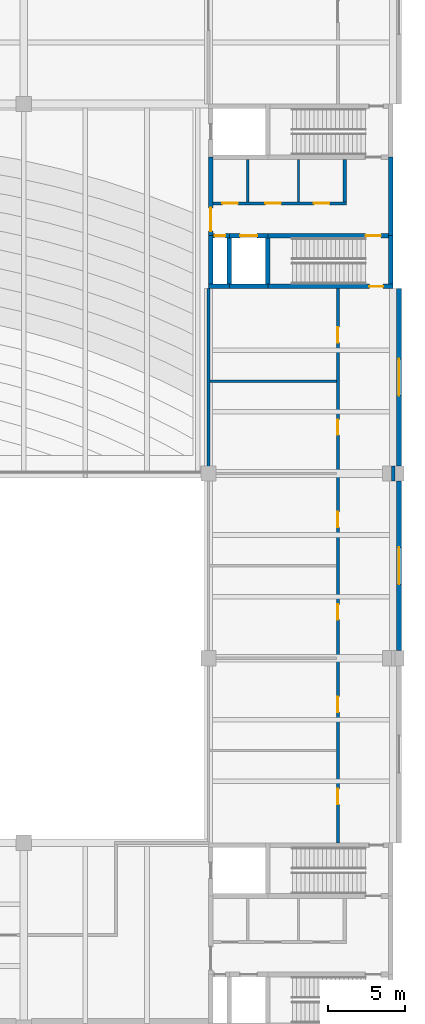
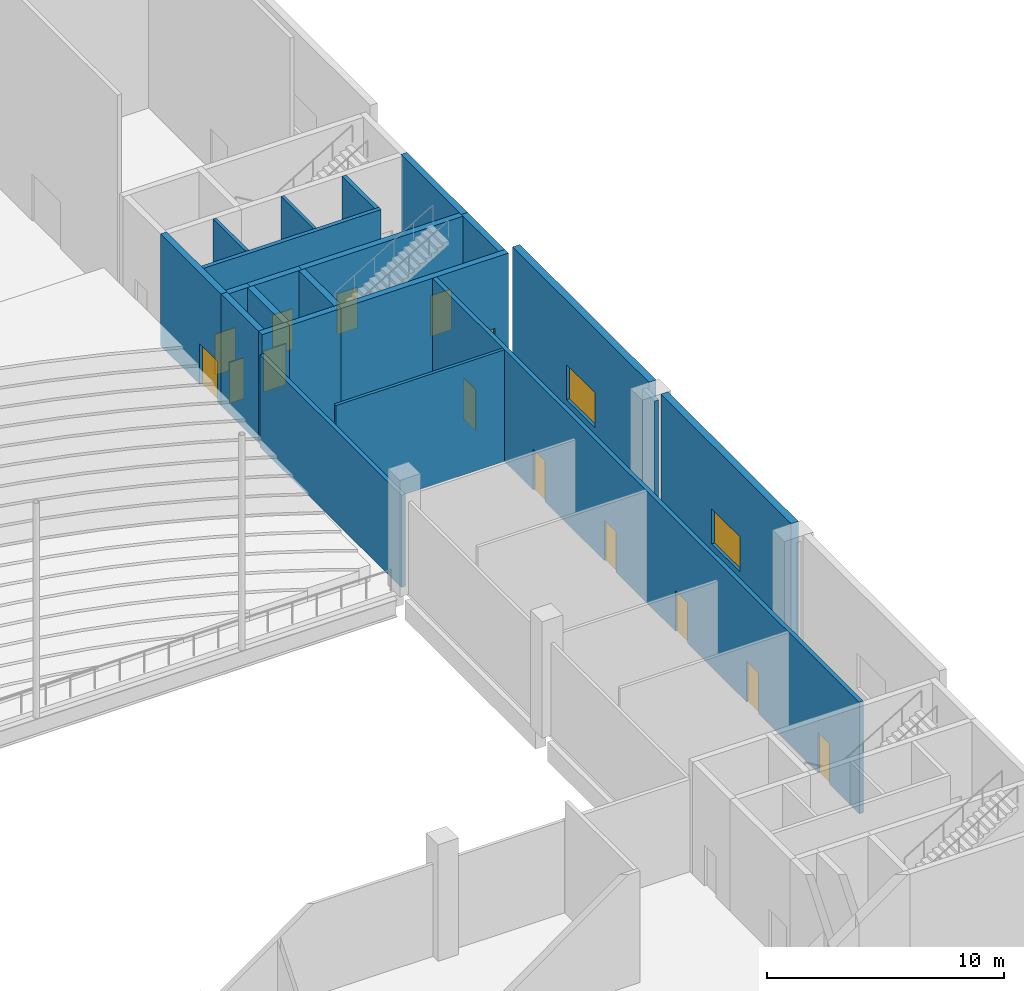
# One storey, part 58 of 72: 22 walls, 14 doors, 2 windows, 16 openings.
"""IFC4 building model written with IfcOpenShell, lengths in metres."""

import ifcopenshell
import ifcopenshell.guid

model = None  # the IFC model being written
_history = None  # IfcOwnerHistory: only IFC2X3 demands one
_inside = {}  # id of a spatial element -> (the spatial element, [elements in it])
_under = {}  # id of a project, library or spatial element -> (it, [spatial elements below it])
_declared = {}  # id of a project -> (the project, [libraries it declares])
_typed = {}  # id of a type object -> (the type object, [elements of that type])
_made_of = {}  # id of a material, layer set ... -> (it, [elements and type objects made of it])


def new_model(schema):
    """Start an empty IFC model of exactly this schema.

    Asked for "IFC4X3", IfcOpenShell would pick the latest addendum, in which some entities
    have other attributes; the version numbers below select the first issue.
    IFC2X3 requires an IfcOwnerHistory on every rooted entity: one is made here for all.
    """
    global model, _history
    if schema == "IFC4X3":
        model = ifcopenshell.file(schema_version=(4, 3, 0, 0))
    else:
        model = ifcopenshell.file(schema=schema)
    _inside.clear()
    _under.clear()
    _declared.clear()
    _typed.clear()
    _made_of.clear()
    _history = None
    if model.schema == "IFC2X3":
        org = make("IfcOrganization", Name="unknown")
        user = make(
            "IfcPersonAndOrganization",
            ThePerson=make("IfcPerson", FamilyName="unknown"),
            TheOrganization=org,
        )
        app = make(
            "IfcApplication",
            ApplicationDeveloper=org,
            Version="unknown",
            ApplicationFullName="unknown",
            ApplicationIdentifier="unknown",
        )
        _history = make(
            "IfcOwnerHistory",
            OwningUser=user,
            OwningApplication=app,
            ChangeAction="ADDED",
            CreationDate=0,
        )
    return model


def make(cls, **values):
    """One entity of the class cls with the attributes given. An attribute that is None is left unset."""
    return model.create_entity(
        cls, **{name: value for name, value in values.items() if value is not None}
    )


def rooted(cls, **values):
    """An entity with a GlobalId (a new one), such as an element, a storey or a relation."""
    return make(cls, GlobalId=ifcopenshell.guid.new(), OwnerHistory=_history, **values)


def si_unit(unit_type, name, prefix=None):
    """IfcSIUnit, for example si_unit("LENGTHUNIT", "METRE", prefix="MILLI")."""
    return make("IfcSIUnit", UnitType=unit_type, Prefix=prefix, Name=name)


def assignment(units):
    """IfcUnitAssignment: the units of a project."""
    return None if units is None else make("IfcUnitAssignment", Units=units)


def point(xyz):
    """IfcCartesianPoint."""
    return None if xyz is None else make("IfcCartesianPoint", Coordinates=xyz)


def direction(xyz):
    """IfcDirection."""
    return None if xyz is None else make("IfcDirection", DirectionRatios=xyz)


def frame(location, z_axis=None, x_axis=None):
    """IfcAxis2Placement3D, a coordinate frame: its origin and axes. An axis left out is left unset."""
    return make(
        "IfcAxis2Placement3D",
        Location=point(location),
        Axis=direction(z_axis),
        RefDirection=direction(x_axis),
    )


def frame_2d(location, x_axis=None):
    """IfcAxis2Placement2D, a coordinate frame in the plane: its origin and x axis."""
    return make(
        "IfcAxis2Placement2D", Location=point(location), RefDirection=direction(x_axis)
    )


def origin():
    """The frame at (0, 0, 0) with its axes left unset."""
    return frame((0.0, 0.0, 0.0))


def place(relative_to, where):
    """IfcLocalPlacement: puts the frame where relative to a parent placement (None: the world)."""
    return make(
        "IfcLocalPlacement", PlacementRelTo=relative_to, RelativePlacement=where
    )


def context(
    kind, dimensions, precision=None, world=None, true_north=None, identifier=None
):
    """IfcGeometricRepresentationContext, for example the 3D "Model" context."""
    return make(
        "IfcGeometricRepresentationContext",
        ContextIdentifier=identifier,
        ContextType=kind,
        CoordinateSpaceDimension=dimensions,
        Precision=precision,
        WorldCoordinateSystem=world,
        TrueNorth=true_north,
    )


def subcontext(parent, identifier, kind, view, scale=None):
    """IfcGeometricRepresentationSubContext, for example "Body" below "Model"."""
    return make(
        "IfcGeometricRepresentationSubContext",
        ContextIdentifier=identifier,
        ContextType=kind,
        ParentContext=parent,
        TargetScale=scale,
        TargetView=view,
    )


def project(units=None, contexts=None):
    """IfcProject with its units and contexts."""
    return rooted(
        "IfcProject",
        Name="project",
        RepresentationContexts=contexts,
        UnitsInContext=assignment(units),
    )


def spatial(cls, under=None, at=None, **own):
    """A site, building, storey or space (cls), placed at a placement, below another one or the project."""
    s = rooted(cls, ObjectPlacement=at, **own)
    if under is not None:
        _under.setdefault(under.id(), (under, []))[1].append(s)
    return s


def profile(cls, at=None, kind="AREA", **sizes):
    """A parametric profile (cls). Its sizes go by their IFC names, for example OverallWidth=200.0."""
    return make(cls, ProfileType=kind, Position=at, **sizes)


def rectangle(**sizes):
    """IfcRectangleProfileDef."""
    return profile("IfcRectangleProfileDef", **sizes)


def extrude(swept, where, along, depth):
    """IfcExtrudedAreaSolid: the profile swept, set in the frame where, extruded along a direction by depth."""
    return make(
        "IfcExtrudedAreaSolid",
        SweptArea=swept,
        Position=where,
        ExtrudedDirection=direction(along),
        Depth=depth,
    )


def shape(context_of_items, identifier, shape_type, items):
    """IfcShapeRepresentation: the items that make up one representation, for example the "Body"."""
    return make(
        "IfcShapeRepresentation",
        ContextOfItems=context_of_items,
        RepresentationIdentifier=identifier,
        RepresentationType=shape_type,
        Items=items,
    )


def material(Name=None, Category=None):
    """IfcMaterial."""
    return make("IfcMaterial", Name=Name, Category=Category)


def layer(
    of_material, thickness, ventilated=None, Name=None, Category=None, Priority=None
):
    """IfcMaterialLayer: one layer of a wall or slab, of a material (None: an air gap)."""
    return make(
        "IfcMaterialLayer",
        Material=of_material,
        LayerThickness=thickness,
        IsVentilated=ventilated,
        Name=Name,
        Category=Category,
        Priority=Priority,
    )


def layer_set(layers, Name=None):
    """IfcMaterialLayerSet."""
    return make("IfcMaterialLayerSet", MaterialLayers=layers, LayerSetName=Name)


def made_of(thing, what):
    """Note that an element or type object is made of a material, layer set ...; save() writes the relation."""
    if what is not None:
        _made_of.setdefault(what.id(), (what, []))[1].append(thing)
    return thing


def type_object(cls, material=None, **own):
    """A type object (cls), such as IfcWallType, which elements share."""
    return made_of(rooted(cls, **own), material)


def element(
    cls,
    number,
    at=None,
    inside=None,
    cuts=None,
    type_object=None,
    material=None,
    context=None,
    identifier="Body",
    shape_type=None,
    held_by="IfcProductDefinitionShape",
    body=None,
    shapes=None,
    **own,
):
    """One element of the class cls, such as IfcWall. Its Tag is "e" and its number.

    at: its placement. inside: the storey or other place that contains it. cuts: it is an
    opening in that element (IfcRelVoidsElement). A single representation is given by context,
    identifier, shape_type and body (its items); several are given by shapes. held_by: the class
    of the entity that holds the representations. save() writes the other relations.
    """
    e = rooted(cls, Tag="e%d" % number, ObjectPlacement=at, **own)
    if body is not None:
        shapes = [shape(context, identifier, shape_type, body)]
    if shapes is not None:
        e.Representation = make(held_by, Representations=shapes)
    if inside is not None:
        _inside.setdefault(inside.id(), (inside, []))[1].append(e)
    if cuts is not None:
        rooted(
            "IfcRelVoidsElement", RelatingBuildingElement=cuts, RelatedOpeningElement=e
        )
    if type_object is not None:
        _typed.setdefault(type_object.id(), (type_object, []))[1].append(e)
    return made_of(e, material)


def fill(opening, filler):
    """IfcRelFillsElement: the door or window that sits in an opening."""
    return rooted(
        "IfcRelFillsElement",
        RelatingOpeningElement=opening,
        RelatedBuildingElement=filler,
    )


def aggregate(whole, parts):
    """IfcRelAggregates: a whole, such as a stair, and the parts it consists of."""
    return rooted("IfcRelAggregates", RelatingObject=whole, RelatedObjects=parts)


def save(model, path):
    """Write the relations noted so far, then the file.

    IfcRelAggregates (storeys below a building ...), IfcRelContainedInSpatialStructure (elements
    in a storey), IfcRelDefinesByType, IfcRelAssociatesMaterial and IfcRelDeclares: one each for
    every whole, place, type object, material and project.
    """
    for whole, parts in _under.values():
        aggregate(whole, parts)
    for where, things in _inside.values():
        rooted(
            "IfcRelContainedInSpatialStructure",
            RelatedElements=things,
            RelatingStructure=where,
        )
    for kind, things in _typed.values():
        rooted("IfcRelDefinesByType", RelatedObjects=things, RelatingType=kind)
    for what, things in _made_of.values():
        rooted("IfcRelAssociatesMaterial", RelatedObjects=things, RelatingMaterial=what)
    for by, libraries in _declared.values():
        rooted("IfcRelDeclares", RelatingContext=by, RelatedDefinitions=libraries)
    model.write(path)


model = new_model("IFC4")

# Units and contexts
model_context = context("Model", 3, precision=1e-05, world=origin(), true_north=direction((0.0, 1.0)))
body_context = subcontext(model_context, "Body", "Model", "MODEL_VIEW")
ifc_project = project(units=[si_unit("LENGTHUNIT", "METRE"), si_unit("AREAUNIT", "SQUARE_METRE"), si_unit("VOLUMEUNIT", "CUBIC_METRE"), si_unit("PLANEANGLEUNIT", "RADIAN"), si_unit("MASSUNIT", "GRAM", prefix="KILO")], contexts=[model_context])

# Site, building, storey
site_placement = place(None, origin())
site = spatial("IfcSite", under=ifc_project, at=site_placement, CompositionType="ELEMENT")
building_placement = place(site_placement, origin())
building = spatial("IfcBuilding", under=site, at=building_placement, Name="Lilac Gate Convention Centre", CompositionType="ELEMENT")
storey_placement = place(building_placement, frame((0.0, 0.0, 6.0)))
storey = spatial("IfcBuildingStorey", under=building, at=storey_placement, Name="L01", CompositionType="ELEMENT", Elevation=6.0)

# Walls
ifc_material_1 = material(Name="Fire-rated gypsum board on steel stud", Category="steel")
ifc_layer_1 = layer(ifc_material_1, 0.14990234375)
ifc_layer_set_1 = layer_set([ifc_layer_1], Name="Fire-rated gypsum board on steel stud")
wall_type_1 = type_object("IfcWallType", Name="Partition 150 fire-rated gypsum board EI 60", PredefinedType="PARTITIONING", material=ifc_layer_set_1)
wall_1_placement = place(storey_placement, frame((78.10009765625, 144.0, 0.0), z_axis=(0.0, 0.0, 1.0), x_axis=(1.0, 0.0, 0.0)))
element("IfcWall", 1, at=wall_1_placement, inside=storey, type_object=wall_type_1, Name="Partition 150 fire-rated gypsum board EI 60", PredefinedType="PARTITIONING", context=body_context, shape_type="SweptSolid", body=[
    extrude(rectangle(XDim=8.199951171875, YDim=0.14990234375, at=frame_2d((4.10009765625, 0.0))), origin(), (0.0, 0.0, 1.0), 5.75),
])
for number, where, z_axis, x_axis, name in (
    (2, (80.550048828125, 155.64990234375, 0.0), (0.0, 0.0, 1.0), (0.0, 1.0, 0.0), "Partition 150 fire-rated gypsum board EI 60"),
    (3, (83.85009765625, 155.64990234375, 0.0), (0.0, 0.0, 1.0), (0.0, 1.0, 0.0), "Partition 150 fire-rated gypsum board EI 60"),
):
    element("IfcWall", number, at=place(storey_placement, frame(where, z_axis=z_axis, x_axis=x_axis)), inside=storey, type_object=wall_type_1, Name=name, PredefinedType="PARTITIONING", context=body_context, shape_type="SweptSolid", body=[
        extrude(rectangle(XDim=2.75, YDim=0.14990234375, at=frame_2d((1.375, 0.0))), origin(), (0.0, 0.0, 1.0), 5.75),
    ])
ifc_material_2 = material(Name="Clay brick masonry", Category="masonry")
ifc_layer_2 = layer(ifc_material_2, 0.199951171875)
ifc_layer_set_2 = layer_set([ifc_layer_2], Name="Clay brick masonry")
wall_type_2 = type_object("IfcWallType", Name="Partition 200 brick EI 120", PredefinedType="PARTITIONING", material=ifc_layer_set_2)
wall_2_placement = place(storey_placement, frame((78.0, 138.074951171875, 0.0), z_axis=(0.0, 0.0, 1.0), x_axis=(0.0, 1.0, 0.0)))
element("IfcWall", 4, at=wall_2_placement, inside=storey, type_object=wall_type_2, Name="Partition 200 brick EI 120", PredefinedType="PARTITIONING", context=body_context, shape_type="SweptSolid", body=[
    extrude(rectangle(XDim=11.925048828125, YDim=0.199951171875, at=frame_2d((5.96240234375, 0.0))), origin(), (0.0, 0.0, 1.0), 4.75),
])

# Wall, openings, doors
ifc_layer_3 = layer(ifc_material_2, 0.199951171875)
ifc_layer_set_3 = layer_set([ifc_layer_3], Name="Clay brick masonry")
wall_type_3 = type_object("IfcWallType", Name="Partition 200 brick EI 60", PredefinedType="PARTITIONING", material=ifc_layer_set_3)
wall_3_placement = place(storey_placement, frame((78.300048828125, 155.550048828125, 0.0), z_axis=(0.0, 0.0, 1.0), x_axis=(1.0, 0.0, 0.0)))
wall_3 = element("IfcWall", 5, at=wall_3_placement, inside=storey, type_object=wall_type_3, Name="Partition 200 brick EI 60", PredefinedType="PARTITIONING", context=body_context, shape_type="SweptSolid", body=[
    extrude(rectangle(XDim=8.64990234375, YDim=0.199951171875, at=frame_2d((4.324951171875, 0.0))), origin(), (0.0, 0.0, 1.0), 5.75),
])
opening_1_placement = place(wall_3_placement, frame((0.60009765625, 0.0, 0.0)))
opening_1 = element("IfcOpeningElement", 6, at=opening_1_placement, cuts=wall_3, Name="Opening L01-064", PredefinedType="OPENING", context=body_context, shape_type="SweptSolid", body=[
    extrude(rectangle(XDim=1.0, YDim=2.10009765625, at=frame_2d((0.5, 1.050048828125))), frame((0.0, 0.10986328125, 0.0), z_axis=(0.0, -1.0, 0.0), x_axis=(1.0, 0.0, 0.0)), (0.0, 0.0, 1.0), 0.219970703125),
])
opening_2_placement = place(wall_3_placement, frame((3.39990234375, 0.0, 0.0)))
opening_2 = element("IfcOpeningElement", 7, at=opening_2_placement, cuts=wall_3, Name="Opening L01-065", PredefinedType="OPENING", context=body_context, shape_type="SweptSolid", body=[
    extrude(rectangle(XDim=1.0, YDim=2.10009765625, at=frame_2d((0.5, 1.050048828125))), frame((0.0, 0.10986328125, 0.0), z_axis=(0.0, -1.0, 0.0), x_axis=(1.0, 0.0, 0.0)), (0.0, 0.0, 1.0), 0.219970703125),
])
opening_3_placement = place(wall_3_placement, frame((6.550048828125, 0.0, 0.0)))
opening_3 = element("IfcOpeningElement", 8, at=opening_3_placement, cuts=wall_3, Name="Opening L01-066", PredefinedType="OPENING", context=body_context, shape_type="SweptSolid", body=[
    extrude(rectangle(XDim=1.0, YDim=2.10009765625, at=frame_2d((0.5, 1.050048828125))), frame((0.0, 0.10986328125, 0.0), z_axis=(0.0, -1.0, 0.0), x_axis=(1.0, 0.0, 0.0)), (0.0, 0.0, 1.0), 0.219970703125),
])
ifc_material_3 = material(Name="Timber fire door leaf", Category="wood")
door_type_1 = type_object("IfcDoorType", Name="Door 1000 x 2100 single leaf FD30", OperationType="SINGLE_SWING_LEFT", PredefinedType="DOOR", material=ifc_material_3)
door_1_placement = place(opening_1_placement, origin())
door_1 = element("IfcDoor", 9, at=door_1_placement, inside=storey, type_object=door_type_1, Name="Accessible WC door L01-064", OperationType="SINGLE_SWING_RIGHT", OverallHeight=2.10009765625, OverallWidth=1.0, PredefinedType="DOOR", context=body_context, shape_type="SweptSolid", body=[
    extrude(rectangle(XDim=1.0, YDim=2.10009765625, at=frame_2d((0.5, 1.050048828125))), frame((0.0, 0.02490234375, 0.0), z_axis=(0.0, -1.0, 0.0), x_axis=(1.0, 0.0, 0.0)), (0.0, 0.0, 1.0), 0.050048828125),
])
fill(opening_1, door_1)
door_2_placement = place(opening_2_placement, origin())
door_2 = element("IfcDoor", 10, at=door_2_placement, inside=storey, type_object=door_type_1, Name="WC door L01-065", OperationType="SINGLE_SWING_LEFT", OverallHeight=2.10009765625, OverallWidth=1.0, PredefinedType="DOOR", context=body_context, shape_type="SweptSolid", body=[
    extrude(rectangle(XDim=1.0, YDim=2.10009765625, at=frame_2d((0.5, 1.050048828125))), frame((0.0, 0.02490234375, 0.0), z_axis=(0.0, -1.0, 0.0), x_axis=(1.0, 0.0, 0.0)), (0.0, 0.0, 1.0), 0.050048828125),
])
fill(opening_2, door_2)
door_3_placement = place(opening_3_placement, origin())
door_3 = element("IfcDoor", 11, at=door_3_placement, inside=storey, type_object=door_type_1, Name="WC door L01-066", OperationType="SINGLE_SWING_RIGHT", OverallHeight=2.10009765625, OverallWidth=1.0, PredefinedType="DOOR", context=body_context, shape_type="SweptSolid", body=[
    extrude(rectangle(XDim=1.0, YDim=2.10009765625, at=frame_2d((0.5, 1.050048828125))), frame((0.0, 0.02490234375, 0.0), z_axis=(0.0, -1.0, 0.0), x_axis=(1.0, 0.0, 0.0)), (0.0, 0.0, 1.0), 0.050048828125),
])
fill(opening_3, door_3)

wall_4_placement = place(storey_placement, frame((86.39990234375, 114.0, 0.0), z_axis=(0.0, 0.0, 1.0), x_axis=(0.0, 1.0, 0.0)))
wall_4 = element("IfcWall", 12, at=wall_4_placement, inside=storey, type_object=wall_type_3, Name="Partition 200 brick EI 60", PredefinedType="PARTITIONING", context=body_context, shape_type="SweptSolid", body=[
    extrude(rectangle(XDim=36.0, YDim=0.199951171875, at=frame_2d((18.0, 0.0))), origin(), (0.0, 0.0, 1.0), 5.75),
])
opening_4_placement = place(wall_4_placement, frame((2.5, 0.0, 0.0)))
opening_4 = element("IfcOpeningElement", 13, at=opening_4_placement, cuts=wall_4, Name="Opening L01-042", PredefinedType="OPENING", context=body_context, shape_type="SweptSolid", body=[
    extrude(rectangle(XDim=1.0, YDim=2.10009765625, at=frame_2d((0.5, 1.050048828125))), frame((0.0, 0.10986328125, 0.0), z_axis=(0.0, -1.0, 0.0), x_axis=(1.0, 0.0, 0.0)), (0.0, 0.0, 1.0), 0.219970703125),
])
opening_5_placement = place(wall_4_placement, frame((8.5, 0.0, 0.0)))
opening_5 = element("IfcOpeningElement", 14, at=opening_5_placement, cuts=wall_4, Name="Opening L01-044", PredefinedType="OPENING", context=body_context, shape_type="SweptSolid", body=[
    extrude(rectangle(XDim=1.0, YDim=2.10009765625, at=frame_2d((0.5, 1.050048828125))), frame((0.0, 0.10986328125, 0.0), z_axis=(0.0, -1.0, 0.0), x_axis=(1.0, 0.0, 0.0)), (0.0, 0.0, 1.0), 0.219970703125),
])
opening_6_placement = place(wall_4_placement, frame((14.5, 0.0, 0.0)))
opening_6 = element("IfcOpeningElement", 15, at=opening_6_placement, cuts=wall_4, Name="Opening L01-046", PredefinedType="OPENING", context=body_context, shape_type="SweptSolid", body=[
    extrude(rectangle(XDim=1.0, YDim=2.10009765625, at=frame_2d((0.5, 1.050048828125))), frame((0.0, 0.10986328125, 0.0), z_axis=(0.0, -1.0, 0.0), x_axis=(1.0, 0.0, 0.0)), (0.0, 0.0, 1.0), 0.219970703125),
])
opening_7_placement = place(wall_4_placement, frame((20.5, 0.0, 0.0)))
opening_7 = element("IfcOpeningElement", 16, at=opening_7_placement, cuts=wall_4, Name="Opening L01-048", PredefinedType="OPENING", context=body_context, shape_type="SweptSolid", body=[
    extrude(rectangle(XDim=1.0, YDim=2.10009765625, at=frame_2d((0.5, 1.050048828125))), frame((0.0, 0.10986328125, 0.0), z_axis=(0.0, -1.0, 0.0), x_axis=(1.0, 0.0, 0.0)), (0.0, 0.0, 1.0), 0.219970703125),
])
opening_8_placement = place(wall_4_placement, frame((26.5, 0.0, 0.0)))
opening_8 = element("IfcOpeningElement", 17, at=opening_8_placement, cuts=wall_4, Name="Opening L01-050", PredefinedType="OPENING", context=body_context, shape_type="SweptSolid", body=[
    extrude(rectangle(XDim=1.0, YDim=2.10009765625, at=frame_2d((0.5, 1.050048828125))), frame((0.0, 0.10986328125, 0.0), z_axis=(0.0, -1.0, 0.0), x_axis=(1.0, 0.0, 0.0)), (0.0, 0.0, 1.0), 0.219970703125),
])
opening_9_placement = place(wall_4_placement, frame((32.5, 0.0, 0.0)))
opening_9 = element("IfcOpeningElement", 18, at=opening_9_placement, cuts=wall_4, Name="Opening L01-052", PredefinedType="OPENING", context=body_context, shape_type="SweptSolid", body=[
    extrude(rectangle(XDim=1.0, YDim=2.10009765625, at=frame_2d((0.5, 1.050048828125))), frame((0.0, 0.10986328125, 0.0), z_axis=(0.0, -1.0, 0.0), x_axis=(1.0, 0.0, 0.0)), (0.0, 0.0, 1.0), 0.219970703125),
])
door_4_placement = place(opening_4_placement, origin())
door_4 = element("IfcDoor", 19, at=door_4_placement, inside=storey, type_object=door_type_1, Name="Office door L01-042", OperationType="SINGLE_SWING_RIGHT", OverallHeight=2.10009765625, OverallWidth=1.0, PredefinedType="DOOR", context=body_context, shape_type="SweptSolid", body=[
    extrude(rectangle(XDim=1.0, YDim=2.10009765625, at=frame_2d((0.5, 1.050048828125))), frame((0.0, 0.02490234375, 0.0), z_axis=(0.0, -1.0, 0.0), x_axis=(1.0, 0.0, 0.0)), (0.0, 0.0, 1.0), 0.050048828125),
])
fill(opening_4, door_4)
door_5_placement = place(opening_5_placement, origin())
door_5 = element("IfcDoor", 20, at=door_5_placement, inside=storey, type_object=door_type_1, Name="Office door L01-044", OperationType="SINGLE_SWING_RIGHT", OverallHeight=2.10009765625, OverallWidth=1.0, PredefinedType="DOOR", context=body_context, shape_type="SweptSolid", body=[
    extrude(rectangle(XDim=1.0, YDim=2.10009765625, at=frame_2d((0.5, 1.050048828125))), frame((0.0, 0.02490234375, 0.0), z_axis=(0.0, -1.0, 0.0), x_axis=(1.0, 0.0, 0.0)), (0.0, 0.0, 1.0), 0.050048828125),
])
fill(opening_5, door_5)
door_6_placement = place(opening_6_placement, origin())
door_6 = element("IfcDoor", 21, at=door_6_placement, inside=storey, type_object=door_type_1, Name="Office door L01-046", OperationType="SINGLE_SWING_RIGHT", OverallHeight=2.10009765625, OverallWidth=1.0, PredefinedType="DOOR", context=body_context, shape_type="SweptSolid", body=[
    extrude(rectangle(XDim=1.0, YDim=2.10009765625, at=frame_2d((0.5, 1.050048828125))), frame((0.0, 0.02490234375, 0.0), z_axis=(0.0, -1.0, 0.0), x_axis=(1.0, 0.0, 0.0)), (0.0, 0.0, 1.0), 0.050048828125),
])
fill(opening_6, door_6)
door_7_placement = place(opening_7_placement, origin())
door_7 = element("IfcDoor", 22, at=door_7_placement, inside=storey, type_object=door_type_1, Name="Office door L01-048", OperationType="SINGLE_SWING_RIGHT", OverallHeight=2.10009765625, OverallWidth=1.0, PredefinedType="DOOR", context=body_context, shape_type="SweptSolid", body=[
    extrude(rectangle(XDim=1.0, YDim=2.10009765625, at=frame_2d((0.5, 1.050048828125))), frame((0.0, 0.02490234375, 0.0), z_axis=(0.0, -1.0, 0.0), x_axis=(1.0, 0.0, 0.0)), (0.0, 0.0, 1.0), 0.050048828125),
])
fill(opening_7, door_7)
door_8_placement = place(opening_8_placement, origin())
door_8 = element("IfcDoor", 23, at=door_8_placement, inside=storey, type_object=door_type_1, Name="Office door L01-050", OperationType="SINGLE_SWING_RIGHT", OverallHeight=2.10009765625, OverallWidth=1.0, PredefinedType="DOOR", context=body_context, shape_type="SweptSolid", body=[
    extrude(rectangle(XDim=1.0, YDim=2.10009765625, at=frame_2d((0.5, 1.050048828125))), frame((0.0, 0.02490234375, 0.0), z_axis=(0.0, -1.0, 0.0), x_axis=(1.0, 0.0, 0.0)), (0.0, 0.0, 1.0), 0.050048828125),
])
fill(opening_8, door_8)
door_9_placement = place(opening_9_placement, origin())
door_9 = element("IfcDoor", 24, at=door_9_placement, inside=storey, type_object=door_type_1, Name="Office door L01-052", OperationType="SINGLE_SWING_RIGHT", OverallHeight=2.10009765625, OverallWidth=1.0, PredefinedType="DOOR", context=body_context, shape_type="SweptSolid", body=[
    extrude(rectangle(XDim=1.0, YDim=2.10009765625, at=frame_2d((0.5, 1.050048828125))), frame((0.0, 0.02490234375, 0.0), z_axis=(0.0, -1.0, 0.0), x_axis=(1.0, 0.0, 0.0)), (0.0, 0.0, 1.0), 0.050048828125),
])
fill(opening_9, door_9)

# Walls
wall_5_placement = place(storey_placement, frame((86.85009765625, 155.64990234375, 0.0), z_axis=(0.0, 0.0, 1.0), x_axis=(0.0, 1.0, 0.0)))
element("IfcWall", 25, at=wall_5_placement, inside=storey, type_object=wall_type_3, Name="Partition 200 brick EI 60", PredefinedType="PARTITIONING", context=body_context, shape_type="SweptSolid", body=[
    extrude(rectangle(XDim=2.75, YDim=0.199951171875, at=frame_2d((1.375, 0.0))), origin(), (0.0, 0.0, 1.0), 5.75),
])
wall_6_placement = place(storey_placement, frame((90.0, 137.5, 0.0), z_axis=(0.0, 0.0, 1.0), x_axis=(0.0, 1.0, 0.0)))
element("IfcWall", 26, at=wall_6_placement, inside=storey, type_object=wall_type_3, Name="Partition 200 brick EI 60", PredefinedType="PARTITIONING", context=body_context, shape_type="SweptSolid", body=[
    extrude(rectangle(XDim=1.0, YDim=0.199951171875, at=frame_2d((0.5, 0.0))), origin(), (0.0, 0.0, 1.0), 5.75),
])

# Wall, opening, window
ifc_material_4 = material(Name="Ochre mineral render")
ifc_layer_4 = layer(ifc_material_4, 0.02001953125)
ifc_material_5 = material(Name="Concrete C40 precast", Category="concrete")
ifc_layer_5 = layer(ifc_material_5, 0.06005859375)
ifc_material_6 = material(Name="Ventilated air cavity")
ifc_layer_6 = layer(ifc_material_6, 0.030029296875)
ifc_material_7 = material(Name="Mineral wool insulation")
ifc_layer_7 = layer(ifc_material_7, 0.169921875)
ifc_material_8 = material(Name="Steel stud Q345 and gypsum lining", Category="steel")
ifc_layer_8 = layer(ifc_material_8, 0.070068359375)
ifc_layer_set_4 = layer_set([ifc_layer_4, ifc_layer_5, ifc_layer_6, ifc_layer_7, ifc_layer_8], Name="Ochre mineral render, Concrete C40 precast, Ventilated air cavity, Mineral wool insulation, Steel stud Q345 and gypsum lining")
wall_type_4 = type_object("IfcWallType", Name="Podium precast wall 350", PredefinedType="STANDARD", material=ifc_layer_set_4)
wall_7_placement = place(storey_placement, frame((90.375, 126.5, 0.0), z_axis=(0.0, 0.0, 1.0), x_axis=(0.0, 1.0, 0.0)))
wall_7 = element("IfcWall", 27, at=wall_7_placement, inside=storey, type_object=wall_type_4, Name="External wall hall east HE L01 8", PredefinedType="STANDARD", context=body_context, shape_type="SweptSolid", body=[
    extrude(rectangle(XDim=11.0, YDim=0.35009765625, at=frame_2d((5.5, 0.0))), origin(), (0.0, 0.0, 1.0), 6.0),
])
opening_10_placement = place(wall_7_placement, frame((4.300048828125, 0.0, 0.89990234375)))
opening_10 = element("IfcOpeningElement", 28, at=opening_10_placement, cuts=wall_7, Name="Opening W5", PredefinedType="OPENING", context=body_context, shape_type="SweptSolid", body=[
    extrude(rectangle(XDim=2.39990234375, YDim=1.800048828125, at=frame_2d((1.199951171875, 0.89990234375))), frame((0.0, 0.18505859375, 0.0), z_axis=(0.0, -1.0, 0.0), x_axis=(1.0, 0.0, 0.0)), (0.0, 0.0, 1.0), 0.3701171875),
])
ifc_material_9 = material(Name="Aluminium framed double glazing", Category="aluminium")
window_type = type_object("IfcWindowType", Name="Meeting room window 2400 x 1800", PartitioningType="TRIPLE_PANEL_VERTICAL", PredefinedType="WINDOW", material=ifc_material_9)
window_1_placement = place(opening_10_placement, origin())
window_1 = element("IfcWindow", 29, at=window_1_placement, inside=storey, type_object=window_type, Name="Window L01 east 132", OverallHeight=1.800048828125, OverallWidth=2.39990234375, PartitioningType="SINGLE_PANEL", PredefinedType="WINDOW", context=body_context, shape_type="SweptSolid", body=[
    extrude(rectangle(XDim=2.39990234375, YDim=1.800048828125, at=frame_2d((1.199951171875, 0.89990234375))), frame((0.0, 0.030029296875, 0.0), z_axis=(0.0, -1.0, 0.0), x_axis=(1.0, 0.0, 0.0)), (0.0, 0.0, 1.0), 0.06005859375),
])
fill(opening_10, window_1)

wall_8_placement = place(storey_placement, frame((90.375, 138.5, 0.0), z_axis=(0.0, 0.0, 1.0), x_axis=(0.0, 1.0, 0.0)))
wall_8 = element("IfcWall", 30, at=wall_8_placement, inside=storey, type_object=wall_type_4, Name="External wall hall east HE L01 9", PredefinedType="STANDARD", context=body_context, shape_type="SweptSolid", body=[
    extrude(rectangle(XDim=11.5, YDim=0.35009765625, at=frame_2d((5.75, 0.0))), origin(), (0.0, 0.0, 1.0), 6.0),
])
opening_11_placement = place(wall_8_placement, frame((4.550048828125, 0.0, 0.89990234375)))
opening_11 = element("IfcOpeningElement", 31, at=opening_11_placement, cuts=wall_8, Name="Opening W5", PredefinedType="OPENING", context=body_context, shape_type="SweptSolid", body=[
    extrude(rectangle(XDim=2.39990234375, YDim=1.800048828125, at=frame_2d((1.199951171875, 0.89990234375))), frame((0.0, 0.18505859375, 0.0), z_axis=(0.0, -1.0, 0.0), x_axis=(1.0, 0.0, 0.0)), (0.0, 0.0, 1.0), 0.3701171875),
])
window_2_placement = place(opening_11_placement, origin())
window_2 = element("IfcWindow", 32, at=window_2_placement, inside=storey, type_object=window_type, Name="Window L01 east 144", OverallHeight=1.800048828125, OverallWidth=2.39990234375, PartitioningType="SINGLE_PANEL", PredefinedType="WINDOW", context=body_context, shape_type="SweptSolid", body=[
    extrude(rectangle(XDim=2.39990234375, YDim=1.800048828125, at=frame_2d((1.199951171875, 0.89990234375))), frame((0.0, 0.030029296875, 0.0), z_axis=(0.0, -1.0, 0.0), x_axis=(1.0, 0.0, 0.0)), (0.0, 0.0, 1.0), 0.06005859375),
])
fill(opening_11, window_2)

# Wall, opening, door
ifc_material_10 = material(Name="Concrete C40", Category="concrete")
ifc_layer_9 = layer(ifc_material_10, 0.300048828125)
ifc_layer_set_5 = layer_set([ifc_layer_9], Name="Concrete C40")
wall_type_5 = type_object("IfcWallType", Name="Shear wall 300 C40", PredefinedType="SHEAR", material=ifc_layer_set_5)
wall_9_placement = place(storey_placement, frame((90.0, 150.14990234375, 0.0), z_axis=(0.0, 0.0, 1.0), x_axis=(-1.0, 0.0, 0.0)))
wall_9 = element("IfcWall", 33, at=wall_9_placement, inside=storey, type_object=wall_type_5, Name="SW1 shear wall E2 L01 1", PredefinedType="SHEAR", context=body_context, shape_type="SweptSolid", body=[
    extrude(rectangle(XDim=8.14990234375, YDim=0.300048828125, at=frame_2d((4.074951171875, 0.0))), origin(), (0.0, 0.0, 1.0), 5.75),
])
opening_12_placement = place(wall_9_placement, frame((0.64990234375, 0.0, 0.0)))
opening_12 = element("IfcOpeningElement", 34, at=opening_12_placement, cuts=wall_9, Name="Opening L01-053", PredefinedType="OPENING", context=body_context, shape_type="SweptSolid", body=[
    extrude(rectangle(XDim=0.89990234375, YDim=2.10009765625, at=frame_2d((0.449951171875, 1.050048828125))), frame((0.0, 0.159912109375, 0.0), z_axis=(0.0, -1.0, 0.0), x_axis=(1.0, 0.0, 0.0)), (0.0, 0.0, 1.0), 0.320068359375),
])
door_type_2 = type_object("IfcDoorType", Name="Door 900 x 2100 single leaf FD60", OperationType="SINGLE_SWING_LEFT", PredefinedType="DOOR", material=ifc_material_3)
door_10_placement = place(opening_12_placement, frame((0.89990234375, 0.0, 0.0), z_axis=(0.0, 0.0, 1.0), x_axis=(-1.0, 0.0, 0.0)))
door_10 = element("IfcDoor", 35, at=door_10_placement, inside=storey, type_object=door_type_2, Name="Stair door L01-053", OperationType="SINGLE_SWING_LEFT", OverallHeight=2.10009765625, OverallWidth=0.89990234375, PredefinedType="DOOR", context=body_context, shape_type="SweptSolid", body=[
    extrude(rectangle(XDim=0.89990234375, YDim=2.10009765625, at=frame_2d((0.449951171875, 1.050048828125))), frame((0.0, 0.02490234375, 0.0), z_axis=(0.0, -1.0, 0.0), x_axis=(1.0, 0.0, 0.0)), (0.0, 0.0, 1.0), 0.050048828125),
])
fill(opening_12, door_10)

# Walls
wall_10_placement = place(storey_placement, frame((81.85009765625, 150.14990234375, 0.0), z_axis=(0.0, 0.0, 1.0), x_axis=(-1.0, 0.0, 0.0)))
element("IfcWall", 36, at=wall_10_placement, inside=storey, type_object=wall_type_5, Name="SW1 shear wall E2 L01 2", PredefinedType="SHEAR", context=body_context, shape_type="SweptSolid", body=[
    extrude(rectangle(XDim=2.5, YDim=0.300048828125, at=frame_2d((1.25, 0.0))), origin(), (0.0, 0.0, 1.0), 5.75),
])
wall_11_placement = place(storey_placement, frame((79.35009765625, 150.14990234375, 0.0), z_axis=(0.0, 0.0, 1.0), x_axis=(-1.0, 0.0, 0.0)))
element("IfcWall", 37, at=wall_11_placement, inside=storey, type_object=wall_type_5, Name="SW1 shear wall E2 L01 3", PredefinedType="SHEAR", context=body_context, shape_type="SweptSolid", body=[
    extrude(rectangle(XDim=1.35009765625, YDim=0.300048828125, at=frame_2d((0.675048828125, 0.0))), origin(), (0.0, 0.0, 1.0), 5.75),
])

# Wall, opening, door
wall_12_placement = place(storey_placement, frame((89.699951171875, 153.449951171875, 0.0), z_axis=(0.0, 0.0, 1.0), x_axis=(-1.0, 0.0, 0.0)))
wall_12 = element("IfcWall", 38, at=wall_12_placement, inside=storey, type_object=wall_type_5, Name="SW1 shear wall E2 L01 6", PredefinedType="SHEAR", context=body_context, shape_type="SweptSolid", body=[
    extrude(rectangle(XDim=7.849853515625, YDim=0.300048828125, at=frame_2d((3.9248046875, 0.0))), origin(), (0.0, 0.0, 1.0), 5.75),
])
opening_13_placement = place(wall_12_placement, frame((0.5, 0.0, 0.0)))
opening_13 = element("IfcOpeningElement", 39, at=opening_13_placement, cuts=wall_12, Name="Opening L01-058", PredefinedType="OPENING", context=body_context, shape_type="SweptSolid", body=[
    extrude(rectangle(XDim=1.0, YDim=2.10009765625, at=frame_2d((0.5, 1.050048828125))), frame((0.0, 0.159912109375, 0.0), z_axis=(0.0, -1.0, 0.0), x_axis=(1.0, 0.0, 0.0)), (0.0, 0.0, 1.0), 0.320068359375),
])
door_type_3 = type_object("IfcDoorType", Name="Door 1000 x 2100 single leaf FD60", OperationType="SINGLE_SWING_LEFT", PredefinedType="DOOR", material=ifc_material_3)
door_11_placement = place(opening_13_placement, origin())
door_11 = element("IfcDoor", 40, at=door_11_placement, inside=storey, type_object=door_type_3, Name="Stair door L01-058", OperationType="SINGLE_SWING_RIGHT", OverallHeight=2.10009765625, OverallWidth=1.0, PredefinedType="DOOR", context=body_context, shape_type="SweptSolid", body=[
    extrude(rectangle(XDim=1.0, YDim=2.10009765625, at=frame_2d((0.5, 1.050048828125))), frame((0.0, 0.02490234375, 0.0), z_axis=(0.0, -1.0, 0.0), x_axis=(1.0, 0.0, 0.0)), (0.0, 0.0, 1.0), 0.050048828125),
])
fill(opening_13, door_11)

wall_13_placement = place(storey_placement, frame((81.85009765625, 153.449951171875, 0.0), z_axis=(0.0, 0.0, 1.0), x_axis=(-1.0, 0.0, 0.0)))
wall_13 = element("IfcWall", 41, at=wall_13_placement, inside=storey, type_object=wall_type_5, Name="SW1 shear wall E2 L01 7", PredefinedType="SHEAR", context=body_context, shape_type="SweptSolid", body=[
    extrude(rectangle(XDim=2.5, YDim=0.300048828125, at=frame_2d((1.25, 0.0))), origin(), (0.0, 0.0, 1.0), 5.75),
])
opening_14_placement = place(wall_13_placement, frame((0.699951171875, 0.0, 0.0)))
opening_14 = element("IfcOpeningElement", 42, at=opening_14_placement, cuts=wall_13, Name="Opening LDE2-01", PredefinedType="OPENING", context=body_context, shape_type="SweptSolid", body=[
    extrude(rectangle(XDim=1.10009765625, YDim=2.10009765625, at=frame_2d((0.550048828125, 1.050048828125))), frame((0.0, 0.159912109375, 0.0), z_axis=(0.0, -1.0, 0.0), x_axis=(1.0, 0.0, 0.0)), (0.0, 0.0, 1.0), 0.320068359375),
])
ifc_material_11 = material(Name="Stainless steel 304", Category="steel")
door_type_4 = type_object("IfcDoorType", Name="Lift landing door 1100 x 2100", OperationType="SLIDING_TO_LEFT", PredefinedType="DOOR", material=ifc_material_11)
door_12_placement = place(opening_14_placement, origin())
door_12 = element("IfcDoor", 43, at=door_12_placement, inside=storey, type_object=door_type_4, Name="Lift landing door LDE2-01", OperationType="SLIDING_TO_LEFT", OverallHeight=2.10009765625, OverallWidth=1.10009765625, PredefinedType="DOOR", context=body_context, shape_type="SweptSolid", body=[
    extrude(rectangle(XDim=1.10009765625, YDim=2.10009765625, at=frame_2d((0.550048828125, 1.050048828125))), frame((0.0, 0.02490234375, 0.0), z_axis=(0.0, -1.0, 0.0), x_axis=(1.0, 0.0, 0.0)), (0.0, 0.0, 1.0), 0.050048828125),
])
fill(opening_14, door_12)

wall_14_placement = place(storey_placement, frame((79.35009765625, 153.449951171875, 0.0), z_axis=(0.0, 0.0, 1.0), x_axis=(-1.0, 0.0, 0.0)))
wall_14 = element("IfcWall", 44, at=wall_14_placement, inside=storey, type_object=wall_type_5, Name="SW1 shear wall E2 L01 8", PredefinedType="SHEAR", context=body_context, shape_type="SweptSolid", body=[
    extrude(rectangle(XDim=1.050048828125, YDim=0.300048828125, at=frame_2d((0.52490234375, 0.0))), origin(), (0.0, 0.0, 1.0), 5.75),
])
opening_15_placement = place(wall_14_placement, frame((0.25, 0.0, 0.0)))
opening_15 = element("IfcOpeningElement", 45, at=opening_15_placement, cuts=wall_14, Name="Opening L01-057", PredefinedType="OPENING", context=body_context, shape_type="SweptSolid", body=[
    extrude(rectangle(XDim=0.699951171875, YDim=2.10009765625, at=frame_2d((0.35009765625, 1.050048828125))), frame((0.0, 0.159912109375, 0.0), z_axis=(0.0, -1.0, 0.0), x_axis=(1.0, 0.0, 0.0)), (0.0, 0.0, 1.0), 0.320068359375),
])
door_type_5 = type_object("IfcDoorType", Name="Door 700 x 2100 single leaf FD30", OperationType="SINGLE_SWING_LEFT", PredefinedType="DOOR", material=ifc_material_3)
door_13_placement = place(opening_15_placement, origin())
door_13 = element("IfcDoor", 46, at=door_13_placement, inside=storey, type_object=door_type_5, Name="Riser access door L01-057", OperationType="SINGLE_SWING_LEFT", OverallHeight=2.10009765625, OverallWidth=0.699951171875, PredefinedType="DOOR", context=body_context, shape_type="SweptSolid", body=[
    extrude(rectangle(XDim=0.699951171875, YDim=2.10009765625, at=frame_2d((0.35009765625, 1.050048828125))), frame((0.0, 0.02490234375, 0.0), z_axis=(0.0, -1.0, 0.0), x_axis=(1.0, 0.0, 0.0)), (0.0, 0.0, 1.0), 0.050048828125),
])
fill(opening_15, door_13)

# Walls
wall_15_placement = place(storey_placement, frame((89.85009765625, 150.300048828125, 0.0), z_axis=(0.0, 0.0, 1.0), x_axis=(0.0, 1.0, 0.0)))
element("IfcWall", 47, at=wall_15_placement, inside=storey, type_object=wall_type_5, Name="SW1 shear wall E2 L01 11", PredefinedType="SHEAR", context=body_context, shape_type="SweptSolid", body=[
    extrude(rectangle(XDim=3.14990234375, YDim=0.300048828125, at=frame_2d((1.574951171875, 0.0))), origin(), (0.0, 0.0, 1.0), 5.75),
])
wall_16_placement = place(storey_placement, frame((89.85009765625, 153.449951171875, 0.0), z_axis=(0.0, 0.0, 1.0), x_axis=(0.0, 1.0, 0.0)))
element("IfcWall", 48, at=wall_16_placement, inside=storey, type_object=wall_type_5, Name="SW1 shear wall E2 L01 12", PredefinedType="SHEAR", context=body_context, shape_type="SweptSolid", body=[
    extrude(rectangle(XDim=5.10009765625, YDim=0.300048828125, at=frame_2d((2.550048828125, 0.0))), origin(), (0.0, 0.0, 1.0), 5.75),
])
wall_17_placement = place(storey_placement, frame((78.14990234375, 150.300048828125, 0.0), z_axis=(0.0, 0.0, 1.0), x_axis=(0.0, 1.0, 0.0)))
element("IfcWall", 49, at=wall_17_placement, inside=storey, type_object=wall_type_5, Name="SW1 shear wall E2 L01 14", PredefinedType="SHEAR", context=body_context, shape_type="SweptSolid", body=[
    extrude(rectangle(XDim=3.14990234375, YDim=0.300048828125, at=frame_2d((1.574951171875, 0.0))), origin(), (0.0, 0.0, 1.0), 5.75),
])

# Wall, opening, door
wall_18_placement = place(storey_placement, frame((78.14990234375, 153.449951171875, 0.0), z_axis=(0.0, 0.0, 1.0), x_axis=(0.0, 1.0, 0.0)))
wall_18 = element("IfcWall", 50, at=wall_18_placement, inside=storey, type_object=wall_type_5, Name="SW1 shear wall E2 L01 15", PredefinedType="SHEAR", context=body_context, shape_type="SweptSolid", body=[
    extrude(rectangle(XDim=5.10009765625, YDim=0.300048828125, at=frame_2d((2.550048828125, 0.0))), origin(), (0.0, 0.0, 1.0), 5.75),
])
opening_16_placement = place(wall_18_placement, frame((0.300048828125, 0.0, 0.0)))
opening_16 = element("IfcOpeningElement", 51, at=opening_16_placement, cuts=wall_18, Name="Opening L01-060", PredefinedType="OPENING", context=body_context, shape_type="SweptSolid", body=[
    extrude(rectangle(XDim=1.5, YDim=2.10009765625, at=frame_2d((0.75, 1.050048828125))), frame((0.0, 0.159912109375, 0.0), z_axis=(0.0, -1.0, 0.0), x_axis=(1.0, 0.0, 0.0)), (0.0, 0.0, 1.0), 0.320068359375),
])
door_type_6 = type_object("IfcDoorType", Name="Door 1500 x 2100 double leaf FD30", OperationType="DOUBLE_DOOR_SINGLE_SWING", PredefinedType="DOOR", material=ifc_material_3)
door_14_placement = place(opening_16_placement, frame((1.5, 0.0, 0.0), z_axis=(0.0, 0.0, 1.0), x_axis=(-1.0, 0.0, 0.0)))
door_14 = element("IfcDoor", 52, at=door_14_placement, inside=storey, type_object=door_type_6, Name="Lobby door L01-060", OperationType="DOUBLE_DOOR_SINGLE_SWING", OverallHeight=2.10009765625, OverallWidth=1.5, PredefinedType="DOOR", context=body_context, shape_type="SweptSolid", body=[
    extrude(rectangle(XDim=1.5, YDim=2.10009765625, at=frame_2d((0.75, 1.050048828125))), frame((0.0, 0.02490234375, 0.0), z_axis=(0.0, -1.0, 0.0), x_axis=(1.0, 0.0, 0.0)), (0.0, 0.0, 1.0), 0.050048828125),
])
fill(opening_16, door_14)

# Walls
for number, where, z_axis, x_axis, name in (
    (53, (81.85009765625, 150.300048828125, 0.0), (0.0, 0.0, 1.0), (0.0, 1.0, 0.0), "SW1 shear wall E2 L01 17"),
    (54, (79.35009765625, 150.300048828125, 0.0), (0.0, 0.0, 1.0), (0.0, 1.0, 0.0), "SW1 shear wall E2 L01 19"),
):
    element("IfcWall", number, at=place(storey_placement, frame(where, z_axis=z_axis, x_axis=x_axis)), inside=storey, type_object=wall_type_5, Name=name, PredefinedType="SHEAR", context=body_context, shape_type="SweptSolid", body=[
        extrude(rectangle(XDim=3.0, YDim=0.300048828125, at=frame_2d((1.5, 0.0))), origin(), (0.0, 0.0, 1.0), 5.75),
    ])

save(model, "model.ifc")
